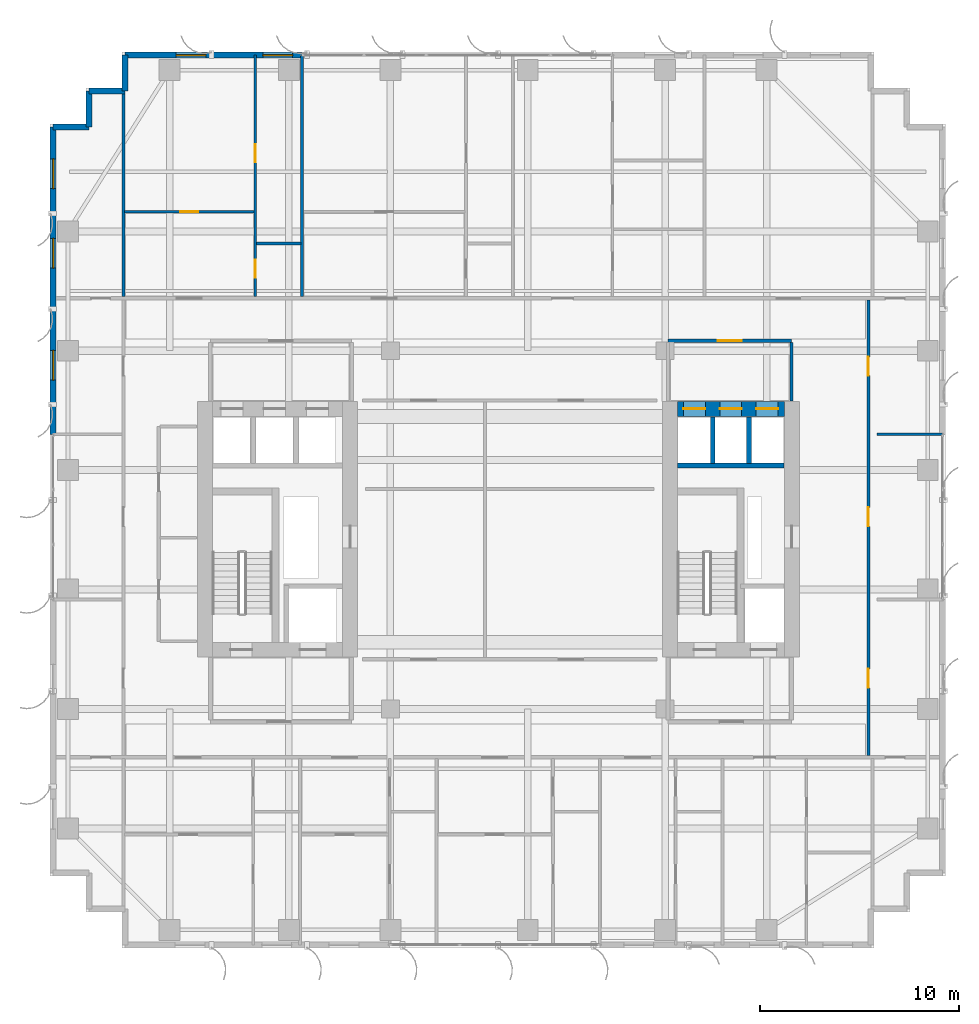
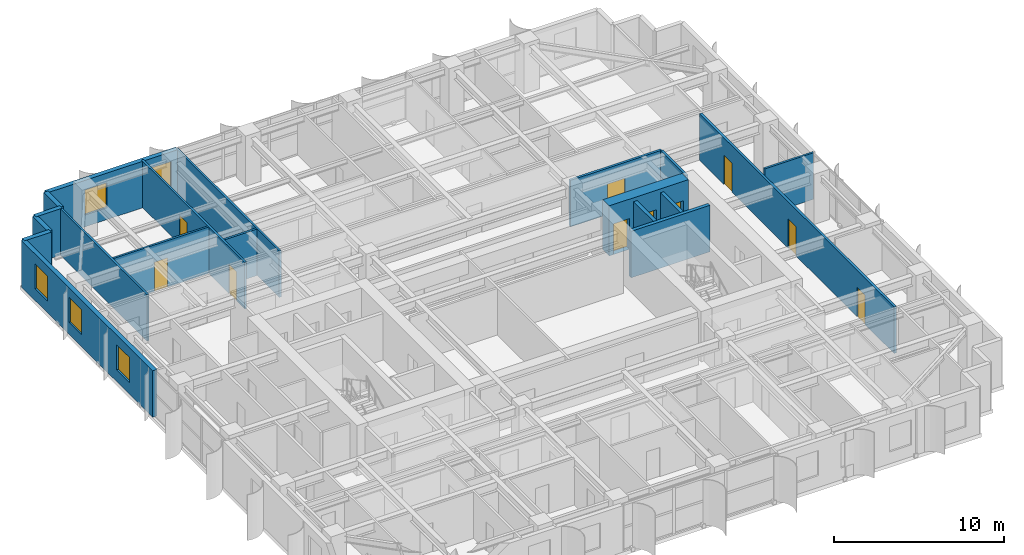
# One storey, part 16 of 22: 19 walls, 10 doors, 5 windows, 15 openings.
"""IFC4 building model written with IfcOpenShell, lengths in metres."""

from ifc_helpers import new_model, si_unit, direction, frame, frame_2d, origin, place, context, subcontext, project, spatial, rectangle, extrude, source, transform, mapped, material, layer, layer_set, type_object, element, fill, save


model = new_model("IFC4")

# Units and contexts
model_context = context("Model", 3, precision=1e-05, world=origin(), true_north=direction((0.0, 1.0)))
body_context = subcontext(model_context, "Body", "Model", "MODEL_VIEW")
ifc_project = project(units=[si_unit("LENGTHUNIT", "METRE"), si_unit("AREAUNIT", "SQUARE_METRE"), si_unit("VOLUMEUNIT", "CUBIC_METRE"), si_unit("PLANEANGLEUNIT", "RADIAN"), si_unit("MASSUNIT", "GRAM", prefix="KILO")], contexts=[model_context])

# Site, building, storey
site_placement = place(None, origin())
site = spatial("IfcSite", under=ifc_project, at=site_placement, CompositionType="ELEMENT")
building_placement = place(site_placement, origin())
building = spatial("IfcBuilding", under=site, at=building_placement, Name="Khoralis Quay Care Tower", CompositionType="ELEMENT")
storey_placement = place(building_placement, frame((0.0, 0.0, 98.10009765625)))
storey = spatial("IfcBuildingStorey", under=building, at=storey_placement, Name="L25", CompositionType="ELEMENT", Elevation=98.10009765625)

# Wall, openings, doors
ifc_material_1 = material(Name="Concrete C80/95", Category="concrete")
ifc_layer_1 = layer(ifc_material_1, 0.75)
ifc_layer_set_1 = layer_set([ifc_layer_1], Name="Concrete C80/95")
wall_type_1 = type_object("IfcWallType", Name="WL-CORE-750", PredefinedType="SHEAR", material=ifc_layer_set_1)
wall_1_placement = place(storey_placement, frame((31.52001953125, 27.074951171875, 0.0), z_axis=(0.0, 0.0, 1.0), x_axis=(1.0, 0.0, 0.0)))
wall_1 = element("IfcWall", 1, at=wall_1_placement, inside=storey, type_object=wall_type_1, Name="L25 ECORE North Shear Wall", PredefinedType="SHEAR", context=body_context, shape_type="SweptSolid", body=[
    extrude(rectangle(XDim=5.3798828125, YDim=0.75, at=frame_2d((2.68994140625, 0.0))), origin(), (0.0, 0.0, 1.0), 3.599853515625),
])
opening_1_placement = place(wall_1_placement, frame((0.300048828125, 0.0, 0.0)))
opening_1 = element("IfcOpeningElement", 2, at=opening_1_placement, cuts=wall_1, Name="Opening LD1", PredefinedType="OPENING", context=body_context, shape_type="SweptSolid", body=[
    extrude(rectangle(XDim=1.10009765625, YDim=2.199951171875, at=frame_2d((0.550048828125, 1.10009765625))), frame((0.0, 0.385009765625, 0.0), z_axis=(0.0, -1.0, 0.0), x_axis=(1.0, 0.0, 0.0)), (0.0, 0.0, 1.0), 0.77001953125),
])
opening_2_placement = place(wall_1_placement, frame((2.1298828125, 0.0, 0.0)))
opening_2 = element("IfcOpeningElement", 3, at=opening_2_placement, cuts=wall_1, Name="Opening LD1", PredefinedType="OPENING", context=body_context, shape_type="SweptSolid", body=[
    extrude(rectangle(XDim=1.10009765625, YDim=2.199951171875, at=frame_2d((0.550048828125, 1.10009765625))), frame((0.0, 0.385009765625, 0.0), z_axis=(0.0, -1.0, 0.0), x_axis=(1.0, 0.0, 0.0)), (0.0, 0.0, 1.0), 0.77001953125),
])
opening_3_placement = place(wall_1_placement, frame((3.9599609375, 0.0, 0.0)))
opening_3 = element("IfcOpeningElement", 4, at=opening_3_placement, cuts=wall_1, Name="Opening LD1", PredefinedType="OPENING", context=body_context, shape_type="SweptSolid", body=[
    extrude(rectangle(XDim=1.10009765625, YDim=2.199951171875, at=frame_2d((0.550048828125, 1.10009765625))), frame((0.0, 0.385009765625, 0.0), z_axis=(0.0, -1.0, 0.0), x_axis=(1.0, 0.0, 0.0)), (0.0, 0.0, 1.0), 0.77001953125),
])
ifc_material_2 = material(Name="Brushed stainless steel", Category="steel")
door_type_1 = type_object("IfcDoorType", Name="DR-LIFT-1100X2200", OperationType="SLIDING_TO_LEFT", PredefinedType="DOOR", material=ifc_material_2)
shared_shape_1 = source(origin(), body_context, "Body", "SweptSolid", [
    extrude(rectangle(XDim=1.10009765625, YDim=2.199951171875, at=frame_2d((0.550048828125, 1.10009765625))), frame((0.0, 0.02490234375, 0.0), z_axis=(0.0, -1.0, 0.0), x_axis=(1.0, 0.0, 0.0)), (0.0, 0.0, 1.0), 0.050048828125),
])
door_1_placement = place(opening_1_placement, origin())
door_1 = element("IfcDoor", 5, at=door_1_placement, inside=storey, type_object=door_type_1, Name="L25 Lift PLL2 Landing Door", OperationType="SLIDING_TO_LEFT", OverallHeight=2.199951171875, OverallWidth=1.10009765625, PredefinedType="DOOR", context=body_context, shape_type="MappedRepresentation", body=[
    mapped(shared_shape_1, transform((0.0, 0.0, 0.0), scale=1.0)),
])
fill(opening_1, door_1)
door_2_placement = place(opening_2_placement, origin())
door_2 = element("IfcDoor", 6, at=door_2_placement, inside=storey, type_object=door_type_1, Name="L25 Lift PLM2 Landing Door", OperationType="SLIDING_TO_LEFT", OverallHeight=2.199951171875, OverallWidth=1.10009765625, PredefinedType="DOOR", context=body_context, shape_type="MappedRepresentation", body=[
    mapped(shared_shape_1, transform((0.0, 0.0, 0.0), scale=1.0)),
])
fill(opening_2, door_2)
door_3_placement = place(opening_3_placement, origin())
door_3 = element("IfcDoor", 7, at=door_3_placement, inside=storey, type_object=door_type_1, Name="L25 Lift PLH2 Landing Door", OperationType="SLIDING_TO_LEFT", OverallHeight=2.199951171875, OverallWidth=1.10009765625, PredefinedType="DOOR", context=body_context, shape_type="MappedRepresentation", body=[
    mapped(shared_shape_1, transform((0.0, 0.0, 0.0), scale=1.0)),
])
fill(opening_3, door_3)

# Wall, opening, door
ifc_material_3 = material(Name="Gypsum plasterboard on acoustic metal stud")
ifc_layer_2 = layer(ifc_material_3, 0.1650390625)
ifc_layer_set_2 = layer_set([ifc_layer_2], Name="Gypsum plasterboard on acoustic metal stud")
wall_type_2 = type_object("IfcWallType", Name="WL-CORR-165", PredefinedType="PARTITIONING", material=ifc_layer_set_2)
wall_2_placement = place(storey_placement, frame((31.050048828125, 30.5, 0.0), z_axis=(0.0, 0.0, 1.0), x_axis=(1.0, 0.0, 0.0)))
wall_2 = element("IfcWall", 8, at=wall_2_placement, inside=storey, type_object=wall_type_2, Name="L25 East Lift Lobby North Wall", PredefinedType="PARTITIONING", context=body_context, shape_type="SweptSolid", body=[
    extrude(rectangle(XDim=6.199951171875, YDim=0.1650390625, at=frame_2d((3.10009765625, 0.0))), origin(), (0.0, 0.0, 1.0), 3.33984375),
])
opening_4_placement = place(wall_2_placement, frame((2.5, 0.0, 0.0)))
opening_4 = element("IfcOpeningElement", 9, at=opening_4_placement, cuts=wall_2, Name="Opening FD1", PredefinedType="OPENING", context=body_context, shape_type="SweptSolid", body=[
    extrude(rectangle(XDim=1.199951171875, YDim=2.199951171875, at=frame_2d((0.60009765625, 1.10009765625))), frame((0.0, 0.092529296875, 0.0), z_axis=(0.0, -1.0, 0.0), x_axis=(1.0, 0.0, 0.0)), (0.0, 0.0, 1.0), 0.18505859375),
])
ifc_material_4 = material(Name="Fire-rated painted steel", Category="steel")
door_type_2 = type_object("IfcDoorType", Name="DR-FFL-1200X2200", OperationType="NOTDEFINED", PredefinedType="DOOR", material=ifc_material_4)
shared_shape_2 = source(origin(), body_context, "Body", "SweptSolid", [
    extrude(rectangle(XDim=1.199951171875, YDim=2.199951171875, at=frame_2d((0.60009765625, 1.10009765625))), frame((0.0, 0.02490234375, 0.0), z_axis=(0.0, -1.0, 0.0), x_axis=(1.0, 0.0, 0.0)), (0.0, 0.0, 1.0), 0.050048828125),
])
door_4_placement = place(opening_4_placement, origin())
door_4 = element("IfcDoor", 10, at=door_4_placement, inside=storey, type_object=door_type_2, Name="L25 East Lift Lobby Double Door", OperationType="DOUBLE_DOOR_SINGLE_SWING", OverallHeight=2.199951171875, OverallWidth=1.199951171875, PredefinedType="DOOR", context=body_context, shape_type="MappedRepresentation", body=[
    mapped(shared_shape_2, transform((0.0, 0.0, 0.0), scale=1.0)),
])
fill(opening_4, door_4)

# Wall
wall_3_placement = place(storey_placement, frame((37.25, 27.469970703125, 0.0), z_axis=(0.0, 0.0, 1.0), x_axis=(0.0, 1.0, 0.0)))
element("IfcWall", 11, at=wall_3_placement, inside=storey, type_object=wall_type_2, Name="L25 East Lift Lobby East Wall", PredefinedType="PARTITIONING", context=body_context, shape_type="SweptSolid", body=[
    extrude(rectangle(XDim=2.95263671875, YDim=0.1650390625, at=frame_2d((1.476318359375, 0.0))), origin(), (0.0, 0.0, 1.0), 3.33984375),
])

# Wall, openings, doors
wall_4_placement = place(storey_placement, frame((41.1201171875, 9.657470703125, 0.0), z_axis=(0.0, 0.0, 1.0), x_axis=(0.0, 1.0, 0.0)))
wall_4 = element("IfcWall", 12, at=wall_4_placement, inside=storey, type_object=wall_type_2, Name="L25 East Loop Corridor Wall", PredefinedType="PARTITIONING", context=body_context, shape_type="SweptSolid", body=[
    extrude(rectangle(XDim=22.905029296875, YDim=0.1650390625, at=frame_2d((11.45263671875, 0.0))), origin(), (0.0, 0.0, 1.0), 3.33984375),
])
opening_5_placement = place(wall_4_placement, frame((3.407470703125, 0.0, 0.0)))
opening_5 = element("IfcOpeningElement", 13, at=opening_5_placement, cuts=wall_4, Name="Opening ID1", PredefinedType="OPENING", context=body_context, shape_type="SweptSolid", body=[
    extrude(rectangle(XDim=0.949951171875, YDim=2.10009765625, at=frame_2d((0.47509765625, 1.050048828125))), frame((0.0, 0.092529296875, 0.0), z_axis=(0.0, -1.0, 0.0), x_axis=(1.0, 0.0, 0.0)), (0.0, 0.0, 1.0), 0.18505859375),
])
opening_6_placement = place(wall_4_placement, frame((11.517578125, 0.0, 0.0)))
opening_6 = element("IfcOpeningElement", 14, at=opening_6_placement, cuts=wall_4, Name="Opening ID1", PredefinedType="OPENING", context=body_context, shape_type="SweptSolid", body=[
    extrude(rectangle(XDim=0.949951171875, YDim=2.10009765625, at=frame_2d((0.47509765625, 1.050048828125))), frame((0.0, 0.092529296875, 0.0), z_axis=(0.0, -1.0, 0.0), x_axis=(1.0, 0.0, 0.0)), (0.0, 0.0, 1.0), 0.18505859375),
])
opening_7_placement = place(wall_4_placement, frame((19.08740234375, 0.0, 0.0)))
opening_7 = element("IfcOpeningElement", 15, at=opening_7_placement, cuts=wall_4, Name="Opening ID1", PredefinedType="OPENING", context=body_context, shape_type="SweptSolid", body=[
    extrude(rectangle(XDim=0.949951171875, YDim=2.10009765625, at=frame_2d((0.47509765625, 1.050048828125))), frame((0.0, 0.092529296875, 0.0), z_axis=(0.0, -1.0, 0.0), x_axis=(1.0, 0.0, 0.0)), (0.0, 0.0, 1.0), 0.18505859375),
])
ifc_material_5 = material(Name="Acoustic hardwood timber", Category="wood")
door_type_3 = type_object("IfcDoorType", Name="DR-ROOM-950X2100", OperationType="NOTDEFINED", PredefinedType="DOOR", material=ifc_material_5)
shared_shape_3 = source(origin(), body_context, "Body", "SweptSolid", [
    extrude(rectangle(XDim=0.949951171875, YDim=2.10009765625, at=frame_2d((0.47509765625, 1.050048828125))), frame((0.0, 0.02490234375, 0.0), z_axis=(0.0, -1.0, 0.0), x_axis=(1.0, 0.0, 0.0)), (0.0, 0.0, 1.0), 0.050048828125),
])
door_5_placement = place(opening_5_placement, frame((0.949951171875, 0.0, 0.0), z_axis=(0.0, 0.0, 1.0), x_axis=(-1.0, 0.0, 0.0)))
door_5 = element("IfcDoor", 16, at=door_5_placement, inside=storey, type_object=door_type_3, Name="L25 Therapy Consultation Room Door", OperationType="SINGLE_SWING_LEFT", OverallHeight=2.10009765625, OverallWidth=0.949951171875, PredefinedType="DOOR", context=body_context, shape_type="MappedRepresentation", body=[
    mapped(shared_shape_3, transform((0.0, 0.0, 0.0), scale=1.0)),
])
fill(opening_5, door_5)
door_6_placement = place(opening_6_placement, frame((0.949951171875, 0.0, 0.0), z_axis=(0.0, 0.0, 1.0), x_axis=(-1.0, 0.0, 0.0)))
door_6 = element("IfcDoor", 17, at=door_6_placement, inside=storey, type_object=door_type_3, Name="L25 Assisted Activity Lounge Door", OperationType="SINGLE_SWING_RIGHT", OverallHeight=2.10009765625, OverallWidth=0.949951171875, PredefinedType="DOOR", context=body_context, shape_type="MappedRepresentation", body=[
    mapped(shared_shape_3, transform((0.0, 0.0, 0.0), scale=1.0)),
])
fill(opening_6, door_6)
door_7_placement = place(opening_7_placement, frame((0.949951171875, 0.0, 0.0), z_axis=(0.0, 0.0, 1.0), x_axis=(-1.0, 0.0, 0.0)))
door_7 = element("IfcDoor", 18, at=door_7_placement, inside=storey, type_object=door_type_3, Name="L25 Nurse Charting Office Door", OperationType="SINGLE_SWING_LEFT", OverallHeight=2.10009765625, OverallWidth=0.949951171875, PredefinedType="DOOR", context=body_context, shape_type="MappedRepresentation", body=[
    mapped(shared_shape_3, transform((0.0, 0.0, 0.0), scale=1.0)),
])
fill(opening_7, door_7)

# Wall, openings, windows
ifc_material_6 = material(Name="Precast concrete C45/55", Category="concrete")
ifc_layer_3 = layer(ifc_material_6, 0.300048828125)
ifc_layer_set_3 = layer_set([ifc_layer_3], Name="Precast concrete C45/55")
wall_type_3 = type_object("IfcWallType", Name="WL-EXT-REF-300", PredefinedType="SOLIDWALL", material=ifc_layer_set_3)
wall_5_placement = place(storey_placement, frame((12.659912109375, 44.85009765625, 0.0), z_axis=(0.0, 0.0, 1.0), x_axis=(-1.0, 0.0, 0.0)))
wall_5 = element("IfcWall", 19, at=wall_5_placement, inside=storey, type_object=wall_type_3, Name="L25 External Facade Wall WL-EXT-L25-P1-E10B", PredefinedType="SOLIDWALL", context=body_context, shape_type="SweptSolid", body=[
    extrude(rectangle(XDim=8.909912109375, YDim=0.300048828125, at=frame_2d((4.455078125, 0.0))), origin(), (0.0, 0.0, 1.0), 3.33984375),
])
opening_8_placement = place(wall_5_placement, frame((0.47509765625, 0.0, 0.85009765625)))
opening_8 = element("IfcOpeningElement", 20, at=opening_8_placement, cuts=wall_5, Name="Opening W3", PredefinedType="OPENING", context=body_context, shape_type="SweptSolid", body=[
    extrude(rectangle(XDim=1.5, YDim=1.800048828125, at=frame_2d((0.75, 0.89990234375))), frame((0.0, 0.16015625, 0.0), z_axis=(0.0, -1.0, 0.0), x_axis=(1.0, 0.0, 0.0)), (0.0, 0.0, 1.0), 0.320068359375),
])
opening_9_placement = place(wall_5_placement, frame((4.830078125, 0.0, 0.85009765625)))
opening_9 = element("IfcOpeningElement", 21, at=opening_9_placement, cuts=wall_5, Name="Opening W3", PredefinedType="OPENING", context=body_context, shape_type="SweptSolid", body=[
    extrude(rectangle(XDim=1.5, YDim=1.800048828125, at=frame_2d((0.75, 0.89990234375))), frame((0.0, 0.16015625, 0.0), z_axis=(0.0, -1.0, 0.0), x_axis=(1.0, 0.0, 0.0)), (0.0, 0.0, 1.0), 0.320068359375),
])
ifc_material_7 = material(Name="Low-E solar-control double glazing", Category="glass")
window_type = type_object("IfcWindowType", Name="WN-CLIN-1500X1800", PartitioningType="SINGLE_PANEL", PredefinedType="WINDOW", material=ifc_material_7)
shared_shape_4 = source(origin(), body_context, "Body", "SweptSolid", [
    extrude(rectangle(XDim=1.5, YDim=1.800048828125, at=frame_2d((0.75, 0.89990234375))), frame((0.0, 0.030029296875, 0.0), z_axis=(0.0, -1.0, 0.0), x_axis=(1.0, 0.0, 0.0)), (0.0, 0.0, 1.0), 0.06005859375),
])
window_1_placement = place(opening_8_placement, origin())
window_1 = element("IfcWindow", 22, at=window_1_placement, inside=storey, type_object=window_type, Name="WN-L25-P1-E10B Facade Window 01", OverallHeight=1.800048828125, OverallWidth=1.5, PartitioningType="SINGLE_PANEL", PredefinedType="WINDOW", context=body_context, shape_type="MappedRepresentation", body=[
    mapped(shared_shape_4, transform((0.0, 0.0, 0.0), scale=1.0)),
])
fill(opening_8, window_1)
window_2_placement = place(opening_9_placement, origin())
window_2 = element("IfcWindow", 23, at=window_2_placement, inside=storey, type_object=window_type, Name="WN-L25-P1-E10B Facade Window 02", OverallHeight=1.800048828125, OverallWidth=1.5, PartitioningType="SINGLE_PANEL", PredefinedType="WINDOW", context=body_context, shape_type="MappedRepresentation", body=[
    mapped(shared_shape_4, transform((0.0, 0.0, 0.0), scale=1.0)),
])
fill(opening_9, window_2)

# Walls
for number, where, z_axis, x_axis, name in (
    (24, (3.75, 44.85009765625, 0.0), (0.0, 0.0, 1.0), (0.0, -1.0, 0.0), "L25 External Facade Wall WL-EXT-L25-P1-C11"),
    (25, (3.75, 43.050048828125, 0.0), (0.0, 0.0, 1.0), (-1.0, 0.0, 0.0), "L25 External Facade Wall WL-EXT-L25-P1-C12"),
    (26, (1.949951171875, 43.050048828125, 0.0), (0.0, 0.0, 1.0), (0.0, -1.0, 0.0), "L25 External Facade Wall WL-EXT-L25-P1-C13"),
    (27, (1.949951171875, 41.25, 0.0), (0.0, 0.0, 1.0), (-1.0, 0.0, 0.0), "L25 External Facade Wall WL-EXT-L25-P1-C14"),
):
    element("IfcWall", number, at=place(storey_placement, frame(where, z_axis=z_axis, x_axis=x_axis)), inside=storey, type_object=wall_type_3, Name=name, PredefinedType="SOLIDWALL", context=body_context, shape_type="SweptSolid", body=[
        extrude(rectangle(XDim=1.800048828125, YDim=0.300048828125, at=frame_2d((0.89990234375, 0.0))), origin(), (0.0, 0.0, 1.0), 3.33984375),
    ])

# Wall, openings, windows
wall_6_placement = place(storey_placement, frame((0.14990234375, 41.25, 0.0), z_axis=(0.0, 0.0, 1.0), x_axis=(0.0, -1.0, 0.0)))
wall_6 = element("IfcWall", 28, at=wall_6_placement, inside=storey, type_object=wall_type_3, Name="L25 External Facade Wall WL-EXT-L25-P1-E15A", PredefinedType="SOLIDWALL", context=body_context, shape_type="SweptSolid", body=[
    extrude(rectangle(XDim=15.449951171875, YDim=0.300048828125, at=frame_2d((7.72509765625, 0.0))), origin(), (0.0, 0.0, 1.0), 3.33984375),
])
opening_10_placement = place(wall_6_placement, frame((1.607421875, 0.0, 0.85009765625)))
opening_10 = element("IfcOpeningElement", 29, at=opening_10_placement, cuts=wall_6, Name="Opening W3", PredefinedType="OPENING", context=body_context, shape_type="SweptSolid", body=[
    extrude(rectangle(XDim=1.5, YDim=1.800048828125, at=frame_2d((0.75, 0.89990234375))), frame((0.0, 0.16015625, 0.0), z_axis=(0.0, -1.0, 0.0), x_axis=(1.0, 0.0, 0.0)), (0.0, 0.0, 1.0), 0.320068359375),
])
opening_11_placement = place(wall_6_placement, frame((5.6025390625, 0.0, 0.85009765625)))
opening_11 = element("IfcOpeningElement", 30, at=opening_11_placement, cuts=wall_6, Name="Opening W3", PredefinedType="OPENING", context=body_context, shape_type="SweptSolid", body=[
    extrude(rectangle(XDim=1.5, YDim=1.800048828125, at=frame_2d((0.75, 0.89990234375))), frame((0.0, 0.16015625, 0.0), z_axis=(0.0, -1.0, 0.0), x_axis=(1.0, 0.0, 0.0)), (0.0, 0.0, 1.0), 0.320068359375),
])
opening_12_placement = place(wall_6_placement, frame((11.22998046875, 0.0, 0.85009765625)))
opening_12 = element("IfcOpeningElement", 31, at=opening_12_placement, cuts=wall_6, Name="Opening W3", PredefinedType="OPENING", context=body_context, shape_type="SweptSolid", body=[
    extrude(rectangle(XDim=1.5, YDim=1.800048828125, at=frame_2d((0.75, 0.89990234375))), frame((0.0, 0.16015625, 0.0), z_axis=(0.0, -1.0, 0.0), x_axis=(1.0, 0.0, 0.0)), (0.0, 0.0, 1.0), 0.320068359375),
])
window_3_placement = place(opening_10_placement, origin())
window_3 = element("IfcWindow", 32, at=window_3_placement, inside=storey, type_object=window_type, Name="WN-L25-P1-E15A Facade Window 01", OverallHeight=1.800048828125, OverallWidth=1.5, PartitioningType="SINGLE_PANEL", PredefinedType="WINDOW", context=body_context, shape_type="MappedRepresentation", body=[
    mapped(shared_shape_4, transform((0.0, 0.0, 0.0), scale=1.0)),
])
fill(opening_10, window_3)
window_4_placement = place(opening_11_placement, origin())
window_4 = element("IfcWindow", 33, at=window_4_placement, inside=storey, type_object=window_type, Name="WN-L25-P1-E15A Facade Window 02", OverallHeight=1.800048828125, OverallWidth=1.5, PartitioningType="SINGLE_PANEL", PredefinedType="WINDOW", context=body_context, shape_type="MappedRepresentation", body=[
    mapped(shared_shape_4, transform((0.0, 0.0, 0.0), scale=1.0)),
])
fill(opening_11, window_4)
window_5_placement = place(opening_12_placement, origin())
window_5 = element("IfcWindow", 34, at=window_5_placement, inside=storey, type_object=window_type, Name="WN-L25-P1-E15A Facade Window 03", OverallHeight=1.800048828125, OverallWidth=1.5, PartitioningType="SINGLE_PANEL", PredefinedType="WINDOW", context=body_context, shape_type="MappedRepresentation", body=[
    mapped(shared_shape_4, transform((0.0, 0.0, 0.0), scale=1.0)),
])
fill(opening_12, window_5)

# Wall, openings, doors
ifc_material_8 = material(Name="Moisture-resistant gypsum and ceramic tile")
ifc_layer_4 = layer(ifc_material_8, 0.280029296875)
ifc_layer_set_4 = layer_set([ifc_layer_4], Name="Moisture-resistant gypsum and ceramic tile")
wall_type_4 = type_object("IfcWallType", Name="WL-PLUMB-280", PredefinedType="PLUMBINGWALL", material=ifc_layer_set_4)
wall_7_placement = place(storey_placement, frame((10.31005859375, 32.717529296875, 0.0), z_axis=(0.0, 0.0, 1.0), x_axis=(0.0, 1.0, 0.0)))
wall_7 = element("IfcWall", 35, at=wall_7_placement, inside=storey, type_object=wall_type_4, Name="L25 Care Suite 0 En-Suite Wall V", PredefinedType="PLUMBINGWALL", context=body_context, shape_type="SweptSolid", body=[
    extrude(rectangle(XDim=12.137451171875, YDim=0.139892578125, at=frame_2d((6.06884765625, 0.0))), origin(), (0.0, 0.0, 1.0), 3.33984375),
])
opening_13_placement = place(wall_7_placement, frame((0.96240234375, 0.0, 0.0)))
opening_13 = element("IfcOpeningElement", 36, at=opening_13_placement, cuts=wall_7, Name="Opening WD1", PredefinedType="OPENING", context=body_context, shape_type="SweptSolid", body=[
    extrude(rectangle(XDim=0.89990234375, YDim=2.10009765625, at=frame_2d((0.449951171875, 1.050048828125))), frame((0.0, 0.080078125, 0.0), z_axis=(0.0, -1.0, 0.0), x_axis=(1.0, 0.0, 0.0)), (0.0, 0.0, 1.0), 0.159912109375),
])
opening_14_placement = place(wall_7_placement, frame((6.75244140625, 0.0, 0.0)))
opening_14 = element("IfcOpeningElement", 37, at=opening_14_placement, cuts=wall_7, Name="Opening WD1", PredefinedType="OPENING", context=body_context, shape_type="SweptSolid", body=[
    extrude(rectangle(XDim=0.89990234375, YDim=2.10009765625, at=frame_2d((0.449951171875, 1.050048828125))), frame((0.0, 0.080078125, 0.0), z_axis=(0.0, -1.0, 0.0), x_axis=(1.0, 0.0, 0.0)), (0.0, 0.0, 1.0), 0.159912109375),
])
door_type_4 = type_object("IfcDoorType", Name="DR-BATH-900X2100", OperationType="NOTDEFINED", PredefinedType="DOOR", material=ifc_material_5)
shared_shape_5 = source(origin(), body_context, "Body", "SweptSolid", [
    extrude(rectangle(XDim=0.89990234375, YDim=2.10009765625, at=frame_2d((0.449951171875, 1.050048828125))), frame((0.0, 0.02490234375, 0.0), z_axis=(0.0, -1.0, 0.0), x_axis=(1.0, 0.0, 0.0)), (0.0, 0.0, 1.0), 0.050048828125),
])
door_8_placement = place(opening_13_placement, frame((0.89990234375, 0.0, 0.0), z_axis=(0.0, 0.0, 1.0), x_axis=(-1.0, 0.0, 0.0)))
door_8 = element("IfcDoor", 38, at=door_8_placement, inside=storey, type_object=door_type_4, Name="L25 Care CENS Door", OperationType="SINGLE_SWING_RIGHT", OverallHeight=2.10009765625, OverallWidth=0.89990234375, PredefinedType="DOOR", context=body_context, shape_type="MappedRepresentation", body=[
    mapped(shared_shape_5, transform((0.0, 0.0, 0.0), scale=1.0)),
])
fill(opening_13, door_8)
door_9_placement = place(opening_14_placement, frame((0.89990234375, 0.0, 0.0), z_axis=(0.0, 0.0, 1.0), x_axis=(-1.0, 0.0, 0.0)))
door_9 = element("IfcDoor", 39, at=door_9_placement, inside=storey, type_object=door_type_4, Name="L25 Care CSIT Door", OperationType="SINGLE_SWING_LEFT", OverallHeight=2.10009765625, OverallWidth=0.89990234375, PredefinedType="DOOR", context=body_context, shape_type="MappedRepresentation", body=[
    mapped(shared_shape_5, transform((0.0, 0.0, 0.0), scale=1.0)),
])
fill(opening_14, door_9)

# Walls
wall_8_placement = place(storey_placement, frame((10.375, 35.389892578125, 0.0), z_axis=(0.0, 0.0, 1.0), x_axis=(1.0, 0.0, 0.0)))
element("IfcWall", 40, at=wall_8_placement, inside=storey, type_object=wall_type_4, Name="L25 Care Suite 0 En-Suite Wall H", PredefinedType="PLUMBINGWALL", context=body_context, shape_type="SweptSolid", body=[
    extrude(rectangle(XDim=2.219970703125, YDim=0.139892578125, at=frame_2d((1.10986328125, 0.0))), origin(), (0.0, 0.0, 1.0), 3.33984375),
])
ifc_layer_5 = layer(ifc_material_3, 0.239990234375)
ifc_layer_set_5 = layer_set([ifc_layer_5], Name="Gypsum plasterboard on acoustic metal stud")
wall_type_5 = type_object("IfcWallType", Name="WL-SHAFT-240", PredefinedType="PARTITIONING", material=ifc_layer_set_5)
wall_9_placement = place(storey_placement, frame((31.52001953125, 24.22998046875, 0.0), z_axis=(0.0, 0.0, 1.0), x_axis=(1.0, 0.0, 0.0)))
element("IfcWall", 41, at=wall_9_placement, inside=storey, type_object=wall_type_5, Name="L25 East Passenger Shaft South Wall", PredefinedType="PARTITIONING", context=body_context, shape_type="SweptSolid", body=[
    extrude(rectangle(XDim=5.35986328125, YDim=0.239990234375, at=frame_2d((2.679931640625, 0.0))), origin(), (0.0, 0.0, 1.0), 3.33984375),
])
for number, where, z_axis, x_axis, name in (
    (42, (33.2900390625, 24.344970703125, 0.0), (0.0, 0.0, 1.0), (0.0, 1.0, 0.0), "L25 East Shaft Divider 1"),
    (43, (35.110107421875, 24.344970703125, 0.0), (0.0, 0.0, 1.0), (0.0, 1.0, 0.0), "L25 East Shaft Divider 2"),
):
    element("IfcWall", number, at=place(storey_placement, frame(where, z_axis=z_axis, x_axis=x_axis)), inside=storey, type_object=wall_type_5, Name=name, PredefinedType="PARTITIONING", context=body_context, shape_type="SweptSolid", body=[
        extrude(rectangle(XDim=2.3349609375, YDim=0.239990234375, at=frame_2d((1.16748046875, 0.0))), origin(), (0.0, 0.0, 1.0), 3.33984375),
    ])
ifc_layer_6 = layer(ifc_material_3, 0.139892578125)
ifc_layer_set_6 = layer_set([ifc_layer_6], Name="Gypsum plasterboard on acoustic metal stud")
wall_type_6 = type_object("IfcWallType", Name="WL-UNIT-140", PredefinedType="PARTITIONING", material=ifc_layer_set_6)
wall_10_placement = place(storey_placement, frame((41.5400390625, 25.800048828125, 0.0), z_axis=(0.0, 0.0, 1.0), x_axis=(1.0, 0.0, 0.0)))
element("IfcWall", 44, at=wall_10_placement, inside=storey, type_object=wall_type_6, Name="L25 EE Divider 2", PredefinedType="PARTITIONING", context=body_context, shape_type="SweptSolid", body=[
    extrude(rectangle(XDim=3.31494140625, YDim=0.139892578125, at=frame_2d((1.657470703125, 0.0))), origin(), (0.0, 0.0, 1.0), 3.33984375),
])
wall_11_placement = place(storey_placement, frame((3.679931640625, 32.717529296875, 0.0), z_axis=(0.0, 0.0, 1.0), x_axis=(0.0, 1.0, 0.0)))
element("IfcWall", 45, at=wall_11_placement, inside=storey, type_object=wall_type_6, Name="L25 NB Demising Wall 0", PredefinedType="PARTITIONING", context=body_context, shape_type="SweptSolid", body=[
    extrude(rectangle(XDim=10.33740234375, YDim=0.139892578125, at=frame_2d((5.168701171875, 0.0))), origin(), (0.0, 0.0, 1.0), 3.33984375),
])
wall_12_placement = place(storey_placement, frame((12.659912109375, 32.717529296875, 0.0), z_axis=(0.0, 0.0, 1.0), x_axis=(0.0, 1.0, 0.0)))
element("IfcWall", 46, at=wall_12_placement, inside=storey, type_object=wall_type_6, Name="L25 NB Demising Wall 1", PredefinedType="PARTITIONING", context=body_context, shape_type="SweptSolid", body=[
    extrude(rectangle(XDim=12.137451171875, YDim=0.139892578125, at=frame_2d((6.06884765625, 0.0))), origin(), (0.0, 0.0, 1.0), 3.33984375),
])

# Wall, opening, door
wall_13_placement = place(storey_placement, frame((3.7451171875, 36.989990234375, 0.0), z_axis=(0.0, 0.0, 1.0), x_axis=(1.0, 0.0, 0.0)))
wall_13 = element("IfcWall", 47, at=wall_13_placement, inside=storey, type_object=wall_type_6, Name="Skilled Care Bedroom L25-NB0 Sub-Partition", PredefinedType="PARTITIONING", context=body_context, shape_type="SweptSolid", body=[
    extrude(rectangle(XDim=6.5, YDim=0.139892578125, at=frame_2d((3.25, 0.0))), origin(), (0.0, 0.0, 1.0), 3.33984375),
])
opening_15_placement = place(wall_13_placement, frame((2.800048828125, 0.0, 0.0)))
opening_15 = element("IfcOpeningElement", 48, at=opening_15_placement, cuts=wall_13, Name="Opening WD1", PredefinedType="OPENING", context=body_context, shape_type="SweptSolid", body=[
    extrude(rectangle(XDim=0.89990234375, YDim=2.10009765625, at=frame_2d((0.449951171875, 1.050048828125))), frame((0.0, 0.080078125, 0.0), z_axis=(0.0, -1.0, 0.0), x_axis=(1.0, 0.0, 0.0)), (0.0, 0.0, 1.0), 0.159912109375),
])
door_10_placement = place(opening_15_placement, frame((0.89990234375, 0.0, 0.0), z_axis=(0.0, 0.0, 1.0), x_axis=(-1.0, 0.0, 0.0)))
door_10 = element("IfcDoor", 49, at=door_10_placement, inside=storey, type_object=door_type_4, Name="Private Study & Reading Alcove ARE0 Door", OperationType="SINGLE_SWING_LEFT", OverallHeight=2.10009765625, OverallWidth=0.89990234375, PredefinedType="DOOR", context=body_context, shape_type="MappedRepresentation", body=[
    mapped(shared_shape_5, transform((0.0, 0.0, 0.0), scale=1.0)),
])
fill(opening_15, door_10)

save(model, "model.ifc")
